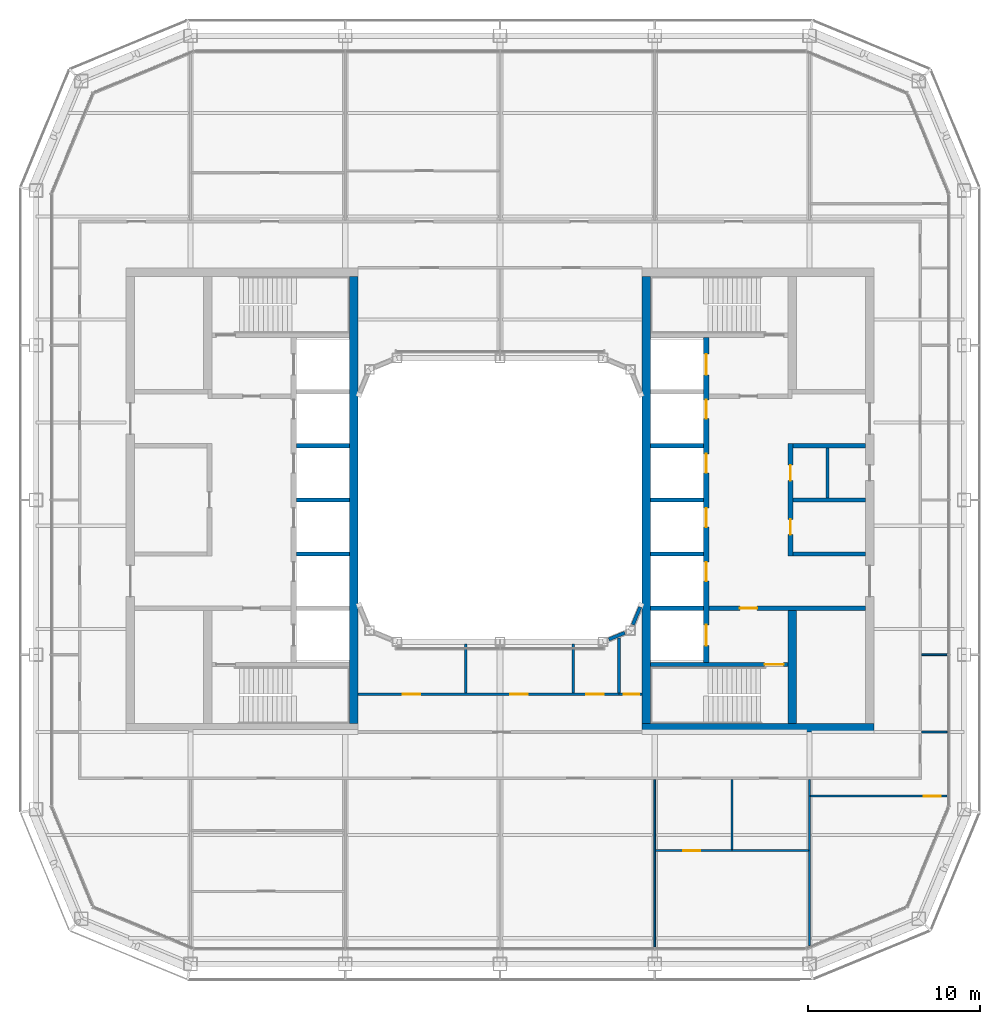
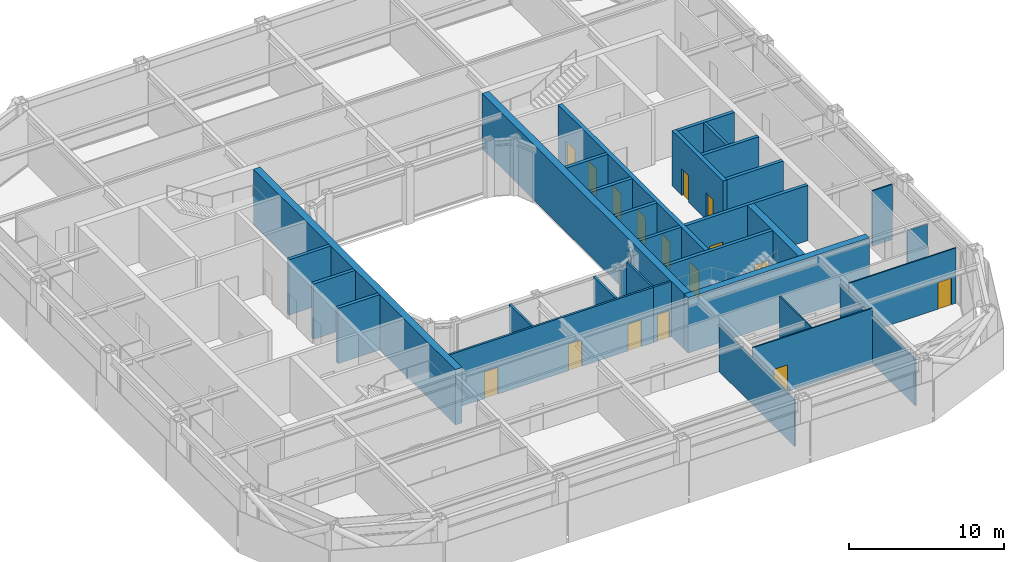
# One storey, part 13 of 19: 33 walls, 16 doors, 16 openings.
"""IFC4 building model written with IfcOpenShell, lengths in metres."""

from ifc_helpers import new_model, si_unit, direction, frame, frame_2d, origin, place, context, subcontext, project, spatial, rectangle, extrude, material, layer, layer_set, type_object, element, fill, save


model = new_model("IFC4")

# Units and contexts
model_context = context("Model", 3, precision=1e-05, world=origin(), true_north=direction((0.0, 1.0)))
body_context = subcontext(model_context, "Body", "Model", "MODEL_VIEW")
ifc_project = project(units=[si_unit("LENGTHUNIT", "METRE"), si_unit("AREAUNIT", "SQUARE_METRE"), si_unit("VOLUMEUNIT", "CUBIC_METRE"), si_unit("PLANEANGLEUNIT", "RADIAN"), si_unit("MASSUNIT", "GRAM", prefix="KILO")], contexts=[model_context])

# Site, building, storey
site_placement = place(None, origin())
site = spatial("IfcSite", under=ifc_project, at=site_placement, CompositionType="ELEMENT")
building_placement = place(site_placement, origin())
building = spatial("IfcBuilding", under=site, at=building_placement, Name="Siwar Civic Tower", CompositionType="ELEMENT")
storey_placement = place(building_placement, frame((0.0, 0.0, 264.699951171875)))
storey = spatial("IfcBuildingStorey", under=building, at=storey_placement, Name="L57", CompositionType="ELEMENT", Elevation=264.699951171875)

# Wall, opening, door
ifc_material_1 = material(Name="Gypsum board on steel studs", Category="steel")
ifc_layer_1 = layer(ifc_material_1, 0.14990234375)
ifc_layer_set_1 = layer_set([ifc_layer_1], Name="Gypsum board on steel studs")
wall_type_1 = type_object("IfcWallType", Name="COMPARTMENT PARTITION 150 EI 60", PredefinedType="PARTITIONING", material=ifc_layer_set_1)
wall_1_placement = place(storey_placement, frame((6.919921875, -11.300048828125, 0.0), z_axis=(0.0, 0.0, 1.0), x_axis=(1.0, 0.0, 0.0)))
wall_1 = element("IfcWall", 1, at=wall_1_placement, inside=storey, type_object=wall_type_1, Name="L57/wall/P10", PredefinedType="PARTITIONING", context=body_context, shape_type="SweptSolid", body=[
    extrude(rectangle(XDim=1.330078125, YDim=0.14990234375, at=frame_2d((0.6650390625, 0.0))), origin(), (0.0, 0.0, 1.0), 4.35009765625),
])
opening_1_placement = place(wall_1_placement, frame((0.280029296875, 0.0, 0.0)))
opening_1 = element("IfcOpeningElement", 2, at=opening_1_placement, cuts=wall_1, Name="Opening D4", PredefinedType="OPENING", context=body_context, shape_type="SweptSolid", body=[
    extrude(rectangle(XDim=0.89990234375, YDim=2.10009765625, at=frame_2d((0.449951171875, 1.050048828125))), frame((0.0, 0.0849609375, 0.0), z_axis=(0.0, -1.0, 0.0), x_axis=(1.0, 0.0, 0.0)), (0.0, 0.0, 1.0), 0.169921875),
])
ifc_material_2 = material(Name="Timber, painted", Category="wood")
door_type_1 = type_object("IfcDoorType", Name="DOOR 900 X 2100 FD60", OperationType="SINGLE_SWING_LEFT", PredefinedType="DOOR", material=ifc_material_2)
door_1_placement = place(opening_1_placement, origin())
door_1 = element("IfcDoor", 3, at=door_1_placement, inside=storey, type_object=door_type_1, Name="L57-D35", OperationType="SINGLE_SWING_LEFT", OverallHeight=2.10009765625, OverallWidth=0.89990234375, PredefinedType="DOOR", context=body_context, shape_type="SweptSolid", body=[
    extrude(rectangle(XDim=0.89990234375, YDim=2.10009765625, at=frame_2d((0.449951171875, 1.050048828125))), frame((0.0, 0.02490234375, 0.0), z_axis=(0.0, -1.0, 0.0), x_axis=(1.0, 0.0, 0.0)), (0.0, 0.0, 1.0), 0.050048828125),
])
fill(opening_1, door_1)

# Walls
wall_2_placement = place(storey_placement, frame((6.919921875, -11.22509765625, 0.0), z_axis=(0.0, 0.0, 1.0), x_axis=(0.0, 1.0, 0.0)))
element("IfcWall", 4, at=wall_2_placement, inside=storey, type_object=wall_type_1, Name="L57/wall/P34", PredefinedType="PARTITIONING", context=body_context, shape_type="SweptSolid", body=[
    extrude(rectangle(XDim=3.196044921875, YDim=0.14990234375, at=frame_2d((1.59814453125, 0.0))), origin(), (0.0, 0.0, 1.0), 4.35009765625),
])
ifc_material_3 = material(Name="Gypsum board on steel studs", Category="steel")
ifc_layer_2 = layer(ifc_material_3, 0.199951171875)
ifc_layer_set_2 = layer_set([ifc_layer_2], Name="Gypsum board on steel studs")
wall_type_2 = type_object("IfcWallType", Name="CORE-PARTITION-200", PredefinedType="PARTITIONING", material=ifc_layer_set_2)
wall_3_placement = place(storey_placement, frame((19.050048828125, 0.125, 0.0), z_axis=(0.0, 0.0, 1.0), x_axis=(0.0, 1.0, 0.0)))
element("IfcWall", 5, at=wall_3_placement, inside=storey, type_object=wall_type_2, Name="Core partition E", PredefinedType="PARTITIONING", context=body_context, shape_type="SweptSolid", body=[
    extrude(rectangle(XDim=2.89990234375, YDim=0.199951171875, at=frame_2d((1.449951171875, 0.0))), origin(), (0.0, 0.0, 1.0), 4.35009765625),
])
ifc_material_4 = material(Name="Concrete C60/75", Category="concrete")
ifc_layer_3 = layer(ifc_material_4, 0.25)
ifc_layer_set_3 = layer_set([ifc_layer_3], Name="Concrete C60/75")
wall_type_3 = type_object("IfcWallType", Name="CORE-WALL-RC250", PredefinedType="SHEAR", material=ifc_layer_set_3)
for number, where, z_axis, x_axis, name in (
    (6, (-8.75, 0.0, 0.0), (0.0, 0.0, 1.0), (-1.0, 0.0, 0.0), "Core wall W"),
    (7, (-8.75, 3.14990234375, 0.0), (0.0, 0.0, 1.0), (-1.0, 0.0, 0.0), "Core wall W"),
    (8, (-8.75, -3.14990234375, 0.0), (0.0, 0.0, 1.0), (-1.0, 0.0, 0.0), "Core wall W"),
):
    element("IfcWall", number, at=place(storey_placement, frame(where, z_axis=z_axis, x_axis=x_axis)), inside=storey, type_object=wall_type_3, Name=name, PredefinedType="SHEAR", context=body_context, shape_type="SweptSolid", body=[
        extrude(rectangle(XDim=3.10009765625, YDim=0.25, at=frame_2d((1.550048828125, 0.0))), origin(), (0.0, 0.0, 1.0), 4.35009765625),
    ])

# Wall, opening, door
wall_4_placement = place(storey_placement, frame((12.14990234375, -6.300048828125, 0.0), z_axis=(0.0, 0.0, 1.0), x_axis=(1.0, 0.0, 0.0)))
wall_4 = element("IfcWall", 9, at=wall_4_placement, inside=storey, type_object=wall_type_3, Name="Core wall E", PredefinedType="SHEAR", context=body_context, shape_type="SweptSolid", body=[
    extrude(rectangle(XDim=9.10009765625, YDim=0.25, at=frame_2d((4.550048828125, 0.0))), origin(), (0.0, 0.0, 1.0), 4.35009765625),
])
opening_2_placement = place(wall_4_placement, frame((1.800048828125, 0.0, 0.0)))
opening_2 = element("IfcOpeningElement", 10, at=opening_2_placement, cuts=wall_4, Name="Opening L57-CE02", PredefinedType="OPENING", context=body_context, shape_type="SweptSolid", body=[
    extrude(rectangle(XDim=1.0, YDim=2.10009765625, at=frame_2d((0.5, 1.050048828125))), frame((0.0, 0.135009765625, 0.0), z_axis=(0.0, -1.0, 0.0), x_axis=(1.0, 0.0, 0.0)), (0.0, 0.0, 1.0), 0.27001953125),
])
ifc_material_5 = material(Name="Steel door leaf", Category="steel")
door_type_2 = type_object("IfcDoorType", Name="CORE-DOOR-FD30S", OperationType="SINGLE_SWING_LEFT", PredefinedType="DOOR", material=ifc_material_5)
door_2_placement = place(opening_2_placement, origin())
door_2 = element("IfcDoor", 11, at=door_2_placement, inside=storey, type_object=door_type_2, Name="Service lobby door L57-CE02", OperationType="SINGLE_SWING_LEFT", OverallHeight=2.10009765625, OverallWidth=1.0, PredefinedType="DOOR", context=body_context, shape_type="SweptSolid", body=[
    extrude(rectangle(XDim=1.0, YDim=2.10009765625, at=frame_2d((0.5, 1.050048828125))), frame((0.0, 0.02490234375, 0.0), z_axis=(0.0, -1.0, 0.0), x_axis=(1.0, 0.0, 0.0)), (0.0, 0.0, 1.0), 0.050048828125),
])
fill(opening_2, door_2)

# Walls
for number, where, z_axis, x_axis, name in (
    (12, (17.050048828125, 0.0, 0.0), (0.0, 0.0, 1.0), (1.0, 0.0, 0.0), "Core wall E"),
    (13, (17.050048828125, 3.14990234375, 0.0), (0.0, 0.0, 1.0), (1.0, 0.0, 0.0), "Core wall E"),
    (14, (17.050048828125, -3.14990234375, 0.0), (0.0, 0.0, 1.0), (1.0, 0.0, 0.0), "Core wall E"),
):
    element("IfcWall", number, at=place(storey_placement, frame(where, z_axis=z_axis, x_axis=x_axis)), inside=storey, type_object=wall_type_3, Name=name, PredefinedType="SHEAR", context=body_context, shape_type="SweptSolid", body=[
        extrude(rectangle(XDim=4.199951171875, YDim=0.25, at=frame_2d((2.10009765625, 0.0))), origin(), (0.0, 0.0, 1.0), 4.35009765625),
    ])
for number, where, z_axis, x_axis, name in (
    (15, (8.75, 0.0, 0.0), (0.0, 0.0, 1.0), (1.0, 0.0, 0.0), "Core wall E"),
    (16, (8.75, 3.14990234375, 0.0), (0.0, 0.0, 1.0), (1.0, 0.0, 0.0), "Core wall E"),
    (17, (8.75, -3.14990234375, 0.0), (0.0, 0.0, 1.0), (1.0, 0.0, 0.0), "Core wall E"),
    (18, (8.75, -6.300048828125, 0.0), (0.0, 0.0, 1.0), (1.0, 0.0, 0.0), "Core wall E"),
):
    element("IfcWall", number, at=place(storey_placement, frame(where, z_axis=z_axis, x_axis=x_axis)), inside=storey, type_object=wall_type_3, Name=name, PredefinedType="SHEAR", context=body_context, shape_type="SweptSolid", body=[
        extrude(rectangle(XDim=3.10009765625, YDim=0.25, at=frame_2d((1.550048828125, 0.0))), origin(), (0.0, 0.0, 1.0), 4.35009765625),
    ])

# Wall, opening, door
wall_5_placement = place(storey_placement, frame((8.75, -9.574951171875, 0.0), z_axis=(0.0, 0.0, 1.0), x_axis=(1.0, 0.0, 0.0)))
wall_5 = element("IfcWall", 19, at=wall_5_placement, inside=storey, type_object=wall_type_3, Name="Core wall E", PredefinedType="SHEAR", context=body_context, shape_type="SweptSolid", body=[
    extrude(rectangle(XDim=8.0, YDim=0.25, at=frame_2d((4.0, 0.0))), origin(), (0.0, 0.0, 1.0), 4.35009765625),
])
opening_3_placement = place(wall_5_placement, frame((6.64990234375, 0.0, 0.0)))
opening_3 = element("IfcOpeningElement", 20, at=opening_3_placement, cuts=wall_5, Name="Opening L57-CE04", PredefinedType="OPENING", context=body_context, shape_type="SweptSolid", body=[
    extrude(rectangle(XDim=1.10009765625, YDim=2.10009765625, at=frame_2d((0.550048828125, 1.050048828125))), frame((0.0, 0.135009765625, 0.0), z_axis=(0.0, -1.0, 0.0), x_axis=(1.0, 0.0, 0.0)), (0.0, 0.0, 1.0), 0.27001953125),
])
ifc_material_6 = material(Name="Steel door leaf", Category="steel")
door_type_3 = type_object("IfcDoorType", Name="CORE-DOOR-FD60S", OperationType="SINGLE_SWING_LEFT", PredefinedType="DOOR", material=ifc_material_6)
door_3_placement = place(opening_3_placement, origin())
door_3 = element("IfcDoor", 21, at=door_3_placement, inside=storey, type_object=door_type_3, Name="Stair door L57-CE04", OperationType="SINGLE_SWING_RIGHT", OverallHeight=2.10009765625, OverallWidth=1.10009765625, PredefinedType="DOOR", context=body_context, shape_type="SweptSolid", body=[
    extrude(rectangle(XDim=1.10009765625, YDim=2.10009765625, at=frame_2d((0.550048828125, 1.050048828125))), frame((0.0, 0.02490234375, 0.0), z_axis=(0.0, -1.0, 0.0), x_axis=(1.0, 0.0, 0.0)), (0.0, 0.0, 1.0), 0.050048828125),
])
fill(opening_3, door_3)

# Wall, openings, doors
ifc_material_7 = material(Name="Concrete C60/75", Category="concrete")
ifc_layer_4 = layer(ifc_material_7, 0.300048828125)
ifc_layer_set_4 = layer_set([ifc_layer_4], Name="Concrete C60/75")
wall_type_4 = type_object("IfcWallType", Name="CORE-WALL-RC300", PredefinedType="SHEAR", material=ifc_layer_set_4)
wall_6_placement = place(storey_placement, frame((12.0, -9.449951171875, 0.0), z_axis=(0.0, 0.0, 1.0), x_axis=(0.0, 1.0, 0.0)))
wall_6 = element("IfcWall", 22, at=wall_6_placement, inside=storey, type_object=wall_type_4, Name="Core wall E", PredefinedType="SHEAR", context=body_context, shape_type="SweptSolid", body=[
    extrude(rectangle(XDim=18.89990234375, YDim=0.300048828125, at=frame_2d((9.449951171875, 0.0))), origin(), (0.0, 0.0, 1.0), 4.35009765625),
])
opening_4_placement = place(wall_6_placement, frame((4.72509765625, 0.0, 0.0)))
opening_4 = element("IfcOpeningElement", 23, at=opening_4_placement, cuts=wall_6, Name="Opening L57-CE07", PredefinedType="OPENING", context=body_context, shape_type="SweptSolid", body=[
    extrude(rectangle(XDim=1.10009765625, YDim=2.10009765625, at=frame_2d((0.550048828125, 1.050048828125))), frame((0.0, 0.16015625, 0.0), z_axis=(0.0, -1.0, 0.0), x_axis=(1.0, 0.0, 0.0)), (0.0, 0.0, 1.0), 0.320068359375),
])
opening_5_placement = place(wall_6_placement, frame((7.875, 0.0, 0.0)))
opening_5 = element("IfcOpeningElement", 24, at=opening_5_placement, cuts=wall_6, Name="Opening L57-CE08", PredefinedType="OPENING", context=body_context, shape_type="SweptSolid", body=[
    extrude(rectangle(XDim=1.10009765625, YDim=2.10009765625, at=frame_2d((0.550048828125, 1.050048828125))), frame((0.0, 0.16015625, 0.0), z_axis=(0.0, -1.0, 0.0), x_axis=(1.0, 0.0, 0.0)), (0.0, 0.0, 1.0), 0.320068359375),
])
opening_6_placement = place(wall_6_placement, frame((11.02490234375, 0.0, 0.0)))
opening_6 = element("IfcOpeningElement", 25, at=opening_6_placement, cuts=wall_6, Name="Opening L57-CE09", PredefinedType="OPENING", context=body_context, shape_type="SweptSolid", body=[
    extrude(rectangle(XDim=1.10009765625, YDim=2.10009765625, at=frame_2d((0.550048828125, 1.050048828125))), frame((0.0, 0.16015625, 0.0), z_axis=(0.0, -1.0, 0.0), x_axis=(1.0, 0.0, 0.0)), (0.0, 0.0, 1.0), 0.320068359375),
])
opening_7_placement = place(wall_6_placement, frame((14.175048828125, 0.0, 0.0)))
opening_7 = element("IfcOpeningElement", 26, at=opening_7_placement, cuts=wall_6, Name="Opening L57-CE10", PredefinedType="OPENING", context=body_context, shape_type="SweptSolid", body=[
    extrude(rectangle(XDim=1.10009765625, YDim=2.10009765625, at=frame_2d((0.550048828125, 1.050048828125))), frame((0.0, 0.16015625, 0.0), z_axis=(0.0, -1.0, 0.0), x_axis=(1.0, 0.0, 0.0)), (0.0, 0.0, 1.0), 0.320068359375),
])
opening_8_placement = place(wall_6_placement, frame((16.72509765625, 0.0, 0.0)))
opening_8 = element("IfcOpeningElement", 27, at=opening_8_placement, cuts=wall_6, Name="Opening L57-CE11", PredefinedType="OPENING", context=body_context, shape_type="SweptSolid", body=[
    extrude(rectangle(XDim=1.199951171875, YDim=2.10009765625, at=frame_2d((0.60009765625, 1.050048828125))), frame((0.0, 0.16015625, 0.0), z_axis=(0.0, -1.0, 0.0), x_axis=(1.0, 0.0, 0.0)), (0.0, 0.0, 1.0), 0.320068359375),
])
opening_9_placement = place(wall_6_placement, frame((0.97509765625, 0.0, 0.0)))
opening_9 = element("IfcOpeningElement", 28, at=opening_9_placement, cuts=wall_6, Name="Opening L57-CE12", PredefinedType="OPENING", context=body_context, shape_type="SweptSolid", body=[
    extrude(rectangle(XDim=1.199951171875, YDim=2.10009765625, at=frame_2d((0.60009765625, 1.050048828125))), frame((0.0, 0.16015625, 0.0), z_axis=(0.0, -1.0, 0.0), x_axis=(1.0, 0.0, 0.0)), (0.0, 0.0, 1.0), 0.320068359375),
])
ifc_material_8 = material(Name="Steel door leaf", Category="steel")
door_type_4 = type_object("IfcDoorType", Name="CORE-DOOR-LD", OperationType="DOUBLE_DOOR_SLIDING", PredefinedType="DOOR", material=ifc_material_8)
door_4_placement = place(opening_4_placement, origin())
door_4 = element("IfcDoor", 29, at=door_4_placement, inside=storey, type_object=door_type_4, Name="Landing door HR5 L57-CE07", OperationType="DOUBLE_DOOR_SLIDING", OverallHeight=2.10009765625, OverallWidth=1.10009765625, PredefinedType="DOOR", context=body_context, shape_type="SweptSolid", body=[
    extrude(rectangle(XDim=1.10009765625, YDim=2.10009765625, at=frame_2d((0.550048828125, 1.050048828125))), frame((0.0, 0.02490234375, 0.0), z_axis=(0.0, -1.0, 0.0), x_axis=(1.0, 0.0, 0.0)), (0.0, 0.0, 1.0), 0.050048828125),
])
fill(opening_4, door_4)
door_5_placement = place(opening_5_placement, origin())
door_5 = element("IfcDoor", 30, at=door_5_placement, inside=storey, type_object=door_type_4, Name="Landing door HR6 L57-CE08", OperationType="DOUBLE_DOOR_SLIDING", OverallHeight=2.10009765625, OverallWidth=1.10009765625, PredefinedType="DOOR", context=body_context, shape_type="SweptSolid", body=[
    extrude(rectangle(XDim=1.10009765625, YDim=2.10009765625, at=frame_2d((0.550048828125, 1.050048828125))), frame((0.0, 0.02490234375, 0.0), z_axis=(0.0, -1.0, 0.0), x_axis=(1.0, 0.0, 0.0)), (0.0, 0.0, 1.0), 0.050048828125),
])
fill(opening_5, door_5)
door_6_placement = place(opening_6_placement, origin())
door_6 = element("IfcDoor", 31, at=door_6_placement, inside=storey, type_object=door_type_4, Name="Landing door HR7 L57-CE09", OperationType="DOUBLE_DOOR_SLIDING", OverallHeight=2.10009765625, OverallWidth=1.10009765625, PredefinedType="DOOR", context=body_context, shape_type="SweptSolid", body=[
    extrude(rectangle(XDim=1.10009765625, YDim=2.10009765625, at=frame_2d((0.550048828125, 1.050048828125))), frame((0.0, 0.02490234375, 0.0), z_axis=(0.0, -1.0, 0.0), x_axis=(1.0, 0.0, 0.0)), (0.0, 0.0, 1.0), 0.050048828125),
])
fill(opening_6, door_6)
door_7_placement = place(opening_7_placement, origin())
door_7 = element("IfcDoor", 32, at=door_7_placement, inside=storey, type_object=door_type_4, Name="Landing door HR8 L57-CE10", OperationType="DOUBLE_DOOR_SLIDING", OverallHeight=2.10009765625, OverallWidth=1.10009765625, PredefinedType="DOOR", context=body_context, shape_type="SweptSolid", body=[
    extrude(rectangle(XDim=1.10009765625, YDim=2.10009765625, at=frame_2d((0.550048828125, 1.050048828125))), frame((0.0, 0.02490234375, 0.0), z_axis=(0.0, -1.0, 0.0), x_axis=(1.0, 0.0, 0.0)), (0.0, 0.0, 1.0), 0.050048828125),
])
fill(opening_7, door_7)
ifc_material_9 = material(Name="Steel door leaf", Category="steel")
door_type_5 = type_object("IfcDoorType", Name="CORE-DOOR-LDW", OperationType="DOUBLE_DOOR_SLIDING", PredefinedType="DOOR", material=ifc_material_9)
door_8_placement = place(opening_8_placement, origin())
door_8 = element("IfcDoor", 33, at=door_8_placement, inside=storey, type_object=door_type_5, Name="Landing door FF2 L57-CE11", OperationType="DOUBLE_DOOR_SLIDING", OverallHeight=2.10009765625, OverallWidth=1.199951171875, PredefinedType="DOOR", context=body_context, shape_type="SweptSolid", body=[
    extrude(rectangle(XDim=1.199951171875, YDim=2.10009765625, at=frame_2d((0.60009765625, 1.050048828125))), frame((0.0, 0.02490234375, 0.0), z_axis=(0.0, -1.0, 0.0), x_axis=(1.0, 0.0, 0.0)), (0.0, 0.0, 1.0), 0.050048828125),
])
fill(opening_8, door_8)
door_9_placement = place(opening_9_placement, origin())
door_9 = element("IfcDoor", 34, at=door_9_placement, inside=storey, type_object=door_type_5, Name="Landing door SV2 L57-CE12", OperationType="DOUBLE_DOOR_SLIDING", OverallHeight=2.10009765625, OverallWidth=1.199951171875, PredefinedType="DOOR", context=body_context, shape_type="SweptSolid", body=[
    extrude(rectangle(XDim=1.199951171875, YDim=2.10009765625, at=frame_2d((0.60009765625, 1.050048828125))), frame((0.0, 0.02490234375, 0.0), z_axis=(0.0, -1.0, 0.0), x_axis=(1.0, 0.0, 0.0)), (0.0, 0.0, 1.0), 0.050048828125),
])
fill(opening_9, door_9)

wall_7_placement = place(storey_placement, frame((16.89990234375, -3.27490234375, 0.0), z_axis=(0.0, 0.0, 1.0), x_axis=(0.0, 1.0, 0.0)))
wall_7 = element("IfcWall", 35, at=wall_7_placement, inside=storey, type_object=wall_type_4, Name="Core wall E", PredefinedType="SHEAR", context=body_context, shape_type="SweptSolid", body=[
    extrude(rectangle(XDim=6.5498046875, YDim=0.300048828125, at=frame_2d((3.27490234375, 0.0))), origin(), (0.0, 0.0, 1.0), 4.35009765625),
])
opening_10_placement = place(wall_7_placement, frame((1.25, 0.0, 0.0)))
opening_10 = element("IfcOpeningElement", 36, at=opening_10_placement, cuts=wall_7, Name="Opening L57-CE13", PredefinedType="OPENING", context=body_context, shape_type="SweptSolid", body=[
    extrude(rectangle(XDim=0.89990234375, YDim=2.10009765625, at=frame_2d((0.449951171875, 1.050048828125))), frame((0.0, 0.16015625, 0.0), z_axis=(0.0, -1.0, 0.0), x_axis=(1.0, 0.0, 0.0)), (0.0, 0.0, 1.0), 0.320068359375),
])
opening_11_placement = place(wall_7_placement, frame((4.39990234375, 0.0, 0.0)))
opening_11 = element("IfcOpeningElement", 37, at=opening_11_placement, cuts=wall_7, Name="Opening L57-CE14", PredefinedType="OPENING", context=body_context, shape_type="SweptSolid", body=[
    extrude(rectangle(XDim=0.89990234375, YDim=2.10009765625, at=frame_2d((0.449951171875, 1.050048828125))), frame((0.0, 0.16015625, 0.0), z_axis=(0.0, -1.0, 0.0), x_axis=(1.0, 0.0, 0.0)), (0.0, 0.0, 1.0), 0.320068359375),
])
ifc_material_10 = material(Name="Steel door leaf", Category="steel")
door_type_6 = type_object("IfcDoorType", Name="CORE-DOOR-ROOM", OperationType="SINGLE_SWING_LEFT", PredefinedType="DOOR", material=ifc_material_10)
door_10_placement = place(opening_10_placement, origin())
door_10 = element("IfcDoor", 38, at=door_10_placement, inside=storey, type_object=door_type_6, Name="Core room door L57-CE13", OperationType="SINGLE_SWING_RIGHT", OverallHeight=2.10009765625, OverallWidth=0.89990234375, PredefinedType="DOOR", context=body_context, shape_type="SweptSolid", body=[
    extrude(rectangle(XDim=0.89990234375, YDim=2.10009765625, at=frame_2d((0.449951171875, 1.050048828125))), frame((0.0, 0.02490234375, 0.0), z_axis=(0.0, -1.0, 0.0), x_axis=(1.0, 0.0, 0.0)), (0.0, 0.0, 1.0), 0.050048828125),
])
fill(opening_10, door_10)
door_11_placement = place(opening_11_placement, origin())
door_11 = element("IfcDoor", 39, at=door_11_placement, inside=storey, type_object=door_type_6, Name="Core room door L57-CE14", OperationType="SINGLE_SWING_LEFT", OverallHeight=2.10009765625, OverallWidth=0.89990234375, PredefinedType="DOOR", context=body_context, shape_type="SweptSolid", body=[
    extrude(rectangle(XDim=0.89990234375, YDim=2.10009765625, at=frame_2d((0.449951171875, 1.050048828125))), frame((0.0, 0.02490234375, 0.0), z_axis=(0.0, -1.0, 0.0), x_axis=(1.0, 0.0, 0.0)), (0.0, 0.0, 1.0), 0.050048828125),
])
fill(opening_11, door_11)

# Walls
ifc_material_11 = material(Name="Concrete C60/75", Category="concrete")
ifc_layer_5 = layer(ifc_material_11, 0.5)
ifc_layer_set_5 = layer_set([ifc_layer_5], Name="Concrete C60/75")
wall_type_5 = type_object("IfcWallType", Name="CORE-WALL-RC500", PredefinedType="SHEAR", material=ifc_layer_set_5)
wall_8_placement = place(storey_placement, frame((17.0, -13.0, 0.0), z_axis=(0.0, 0.0, 1.0), x_axis=(0.0, 1.0, 0.0)))
element("IfcWall", 40, at=wall_8_placement, inside=storey, type_object=wall_type_5, Name="Core wall E", PredefinedType="SHEAR", context=body_context, shape_type="SweptSolid", body=[
    extrude(rectangle(XDim=6.574951171875, YDim=0.5, at=frame_2d((3.28759765625, 0.0))), origin(), (0.0, 0.0, 1.0), 4.35009765625),
])
wall_9_placement = place(storey_placement, frame((8.25, -13.25, 0.0), z_axis=(0.0, 0.0, 1.0), x_axis=(1.0, 0.0, 0.0)))
element("IfcWall", 41, at=wall_9_placement, inside=storey, type_object=wall_type_5, Name="Core wall E", PredefinedType="SHEAR", context=body_context, shape_type="SweptSolid", body=[
    extrude(rectangle(XDim=13.5, YDim=0.5, at=frame_2d((6.75, 0.0))), origin(), (0.0, 0.0, 1.0), 4.35009765625),
])
ifc_material_12 = material(Name="Concrete C60/75", Category="concrete")
ifc_layer_6 = layer(ifc_material_12, 0.5)
ifc_layer_set_6 = layer_set([ifc_layer_6], Name="Concrete C60/75")
wall_type_6 = type_object("IfcWallType", Name="CORE-WALL-RC500-EXT", PredefinedType="SHEAR", material=ifc_layer_set_6)
for number, where, z_axis, x_axis, name in (
    (42, (-8.5, -13.0, 0.0), (0.0, 0.0, 1.0), (0.0, 1.0, 0.0), "Core wall W"),
    (43, (8.5, -13.0, 0.0), (0.0, 0.0, 1.0), (0.0, 1.0, 0.0), "Core wall E"),
):
    element("IfcWall", number, at=place(storey_placement, frame(where, z_axis=z_axis, x_axis=x_axis)), inside=storey, type_object=wall_type_6, Name=name, PredefinedType="SHEAR", context=body_context, shape_type="SweptSolid", body=[
        extrude(rectangle(XDim=26.0, YDim=0.5, at=frame_2d((13.0, 0.0))), origin(), (0.0, 0.0, 1.0), 4.35009765625),
    ])

# Wall, openings, doors
ifc_material_13 = material(Name="Gypsum board on steel studs", Category="steel")
ifc_layer_7 = layer(ifc_material_13, 0.14990234375)
ifc_layer_set_7 = layer_set([ifc_layer_7], Name="Gypsum board on steel studs")
wall_type_7 = type_object("IfcWallType", Name="CORRIDOR PARTITION 150 EI 30", PredefinedType="PARTITIONING", material=ifc_layer_set_7)
wall_10_placement = place(storey_placement, frame((-8.25, -11.300048828125, 0.0), z_axis=(0.0, 0.0, 1.0), x_axis=(1.0, 0.0, 0.0)))
wall_10 = element("IfcWall", 44, at=wall_10_placement, inside=storey, type_object=wall_type_7, Name="L57/wall/P09", PredefinedType="PARTITIONING", context=body_context, shape_type="SweptSolid", body=[
    extrude(rectangle(XDim=15.169921875, YDim=0.14990234375, at=frame_2d((7.5849609375, 0.0))), origin(), (0.0, 0.0, 1.0), 4.35009765625),
])
opening_12_placement = place(wall_10_placement, frame((2.60009765625, 0.0, 0.0)))
opening_12 = element("IfcOpeningElement", 45, at=opening_12_placement, cuts=wall_10, Name="Opening D3", PredefinedType="OPENING", context=body_context, shape_type="SweptSolid", body=[
    extrude(rectangle(XDim=1.0, YDim=2.10009765625, at=frame_2d((0.5, 1.050048828125))), frame((0.0, 0.0849609375, 0.0), z_axis=(0.0, -1.0, 0.0), x_axis=(1.0, 0.0, 0.0)), (0.0, 0.0, 1.0), 0.169921875),
])
opening_13_placement = place(wall_10_placement, frame((8.85009765625, 0.0, 0.0)))
opening_13 = element("IfcOpeningElement", 46, at=opening_13_placement, cuts=wall_10, Name="Opening D3", PredefinedType="OPENING", context=body_context, shape_type="SweptSolid", body=[
    extrude(rectangle(XDim=1.0, YDim=2.10009765625, at=frame_2d((0.5, 1.050048828125))), frame((0.0, 0.0849609375, 0.0), z_axis=(0.0, -1.0, 0.0), x_axis=(1.0, 0.0, 0.0)), (0.0, 0.0, 1.0), 0.169921875),
])
opening_14_placement = place(wall_10_placement, frame((13.27001953125, 0.0, 0.0)))
opening_14 = element("IfcOpeningElement", 47, at=opening_14_placement, cuts=wall_10, Name="Opening D3", PredefinedType="OPENING", context=body_context, shape_type="SweptSolid", body=[
    extrude(rectangle(XDim=1.0, YDim=2.10009765625, at=frame_2d((0.5, 1.050048828125))), frame((0.0, 0.0849609375, 0.0), z_axis=(0.0, -1.0, 0.0), x_axis=(1.0, 0.0, 0.0)), (0.0, 0.0, 1.0), 0.169921875),
])
ifc_material_14 = material(Name="Timber, painted", Category="wood")
door_type_7 = type_object("IfcDoorType", Name="DOOR 1000 X 2100 WC", OperationType="SINGLE_SWING_LEFT", PredefinedType="DOOR", material=ifc_material_14)
door_12_placement = place(opening_12_placement, origin())
door_12 = element("IfcDoor", 48, at=door_12_placement, inside=storey, type_object=door_type_7, Name="L57-D32", OperationType="SINGLE_SWING_RIGHT", OverallHeight=2.10009765625, OverallWidth=1.0, PredefinedType="DOOR", context=body_context, shape_type="SweptSolid", body=[
    extrude(rectangle(XDim=1.0, YDim=2.10009765625, at=frame_2d((0.5, 1.050048828125))), frame((0.0, 0.02490234375, 0.0), z_axis=(0.0, -1.0, 0.0), x_axis=(1.0, 0.0, 0.0)), (0.0, 0.0, 1.0), 0.050048828125),
])
fill(opening_12, door_12)
door_13_placement = place(opening_13_placement, origin())
door_13 = element("IfcDoor", 49, at=door_13_placement, inside=storey, type_object=door_type_7, Name="L57-D33", OperationType="SINGLE_SWING_LEFT", OverallHeight=2.10009765625, OverallWidth=1.0, PredefinedType="DOOR", context=body_context, shape_type="SweptSolid", body=[
    extrude(rectangle(XDim=1.0, YDim=2.10009765625, at=frame_2d((0.5, 1.050048828125))), frame((0.0, 0.02490234375, 0.0), z_axis=(0.0, -1.0, 0.0), x_axis=(1.0, 0.0, 0.0)), (0.0, 0.0, 1.0), 0.050048828125),
])
fill(opening_13, door_13)
door_14_placement = place(opening_14_placement, origin())
door_14 = element("IfcDoor", 50, at=door_14_placement, inside=storey, type_object=door_type_7, Name="L57-D34", OperationType="SINGLE_SWING_RIGHT", OverallHeight=2.10009765625, OverallWidth=1.0, PredefinedType="DOOR", context=body_context, shape_type="SweptSolid", body=[
    extrude(rectangle(XDim=1.0, YDim=2.10009765625, at=frame_2d((0.5, 1.050048828125))), frame((0.0, 0.02490234375, 0.0), z_axis=(0.0, -1.0, 0.0), x_axis=(1.0, 0.0, 0.0)), (0.0, 0.0, 1.0), 0.050048828125),
])
fill(opening_14, door_14)

# Walls
for number, where, z_axis, x_axis, name in (
    (51, (-2.0, -11.22509765625, 0.0), (0.0, 0.0, 1.0), (0.0, 1.0, 0.0), "L57/wall/P29"),
    (52, (4.25, -11.22509765625, 0.0), (0.0, 0.0, 1.0), (0.0, 1.0, 0.0), "L57/wall/P33"),
):
    element("IfcWall", number, at=place(storey_placement, frame(where, z_axis=z_axis, x_axis=x_axis)), inside=storey, type_object=wall_type_7, Name=name, PredefinedType="PARTITIONING", context=body_context, shape_type="SweptSolid", body=[
        extrude(rectangle(XDim=2.85498046875, YDim=0.14990234375, at=frame_2d((1.427490234375, 0.0))), origin(), (0.0, 0.0, 1.0), 4.35009765625),
    ])
ifc_material_15 = material(Name="Aluminium clad insulated panel", Category="aluminium")
ifc_layer_8 = layer(ifc_material_15, 0.199951171875)
ifc_layer_set_8 = layer_set([ifc_layer_8], Name="Aluminium clad insulated panel")
wall_type_8 = type_object("IfcWallType", Name="ENV-WALL-WELL", PredefinedType="STANDARD", material=ifc_layer_set_8)
wall_11_placement = place(storey_placement, frame((6.33203125, -8.112548828125, 0.0), z_axis=(0.0, 0.0, 1.0), x_axis=(0.923859650767, 0.382731427616, 0.0)))
element("IfcWall", 53, at=wall_11_placement, inside=storey, type_object=wall_type_8, Name="Light well corner wall SE1", PredefinedType="STANDARD", context=body_context, shape_type="SweptSolid", body=[
    extrude(rectangle(XDim=1.00341796875, YDim=0.199951171875, at=frame_2d((0.501708984375, 0.0))), origin(), (0.0, 0.0, 1.0), 3.91796875),
])
wall_12_placement = place(storey_placement, frame((7.728515625, -7.259033203125, 0.0), z_axis=(0.0, 0.0, 1.0), x_axis=(0.382635994082, 0.923899180665, 0.0)))
element("IfcWall", 54, at=wall_12_placement, inside=storey, type_object=wall_type_8, Name="Light well corner wall SE2", PredefinedType="STANDARD", context=body_context, shape_type="SweptSolid", body=[
    extrude(rectangle(XDim=1.11279296875, YDim=0.199951171875, at=frame_2d((0.556396484375, 0.0))), origin(), (0.0, 0.0, 1.0), 3.91796875),
])

# Wall, opening, door
ifc_material_16 = material(Name="Gypsum board on steel studs", Category="steel")
ifc_layer_9 = layer(ifc_material_16, 0.10009765625)
ifc_layer_set_9 = layer_set([ifc_layer_9], Name="Gypsum board on steel studs")
wall_type_9 = type_object("IfcWallType", Name="PARTITION 100 GYPSUM", PredefinedType="PARTITIONING", material=ifc_layer_set_9)
wall_13_placement = place(storey_placement, frame((9.050048828125, -20.39990234375, 0.0), z_axis=(0.0, 0.0, 1.0), x_axis=(1.0, 0.0, 0.0)))
wall_13 = element("IfcWall", 55, at=wall_13_placement, inside=storey, type_object=wall_type_9, Name="L57/wall/P02", PredefinedType="PARTITIONING", context=body_context, shape_type="SweptSolid", body=[
    extrude(rectangle(XDim=8.89990234375, YDim=0.10009765625, at=frame_2d((4.449951171875, 0.0))), origin(), (0.0, 0.0, 1.0), 4.35009765625),
])
opening_15_placement = place(wall_13_placement, frame((1.60009765625, 0.0, 0.0)))
opening_15 = element("IfcOpeningElement", 56, at=opening_15_placement, cuts=wall_13, Name="Opening D2", PredefinedType="OPENING", context=body_context, shape_type="SweptSolid", body=[
    extrude(rectangle(XDim=1.0, YDim=2.10009765625, at=frame_2d((0.5, 1.050048828125))), frame((0.0, 0.06005859375, 0.0), z_axis=(0.0, -1.0, 0.0), x_axis=(1.0, 0.0, 0.0)), (0.0, 0.0, 1.0), 0.1201171875),
])
ifc_material_17 = material(Name="Timber, painted", Category="wood")
door_type_8 = type_object("IfcDoorType", Name="DOOR 1000 X 2100", OperationType="SINGLE_SWING_LEFT", PredefinedType="DOOR", material=ifc_material_17)
door_15_placement = place(opening_15_placement, origin())
door_15 = element("IfcDoor", 57, at=door_15_placement, inside=storey, type_object=door_type_8, Name="L57-D14", OperationType="SINGLE_SWING_RIGHT", OverallHeight=2.10009765625, OverallWidth=1.0, PredefinedType="DOOR", context=body_context, shape_type="SweptSolid", body=[
    extrude(rectangle(XDim=1.0, YDim=2.10009765625, at=frame_2d((0.5, 1.050048828125))), frame((0.0, 0.02490234375, 0.0), z_axis=(0.0, -1.0, 0.0), x_axis=(1.0, 0.0, 0.0)), (0.0, 0.0, 1.0), 0.050048828125),
])
fill(opening_15, door_15)

wall_14_placement = place(storey_placement, frame((18.050048828125, -17.22802734375, 0.0), z_axis=(0.0, 0.0, 1.0), x_axis=(1.0, 0.0, 0.0)))
wall_14 = element("IfcWall", 58, at=wall_14_placement, inside=storey, type_object=wall_type_9, Name="L57/wall/P04", PredefinedType="PARTITIONING", context=body_context, shape_type="SweptSolid", body=[
    extrude(rectangle(XDim=7.9599609375, YDim=0.10009765625, at=frame_2d((3.97998046875, 0.0))), origin(), (0.0, 0.0, 1.0), 4.35009765625),
])
opening_16_placement = place(wall_14_placement, frame((6.60009765625, 0.0, 0.0)))
opening_16 = element("IfcOpeningElement", 59, at=opening_16_placement, cuts=wall_14, Name="Opening D2", PredefinedType="OPENING", context=body_context, shape_type="SweptSolid", body=[
    extrude(rectangle(XDim=1.0, YDim=2.10009765625, at=frame_2d((0.5, 1.050048828125))), frame((0.0, 0.06005859375, 0.0), z_axis=(0.0, -1.0, 0.0), x_axis=(1.0, 0.0, 0.0)), (0.0, 0.0, 1.0), 0.1201171875),
])
door_16_placement = place(opening_16_placement, origin())
door_16 = element("IfcDoor", 60, at=door_16_placement, inside=storey, type_object=door_type_8, Name="L57-D20", OperationType="SINGLE_SWING_RIGHT", OverallHeight=2.10009765625, OverallWidth=1.0, PredefinedType="DOOR", context=body_context, shape_type="SweptSolid", body=[
    extrude(rectangle(XDim=1.0, YDim=2.10009765625, at=frame_2d((0.5, 1.050048828125))), frame((0.0, 0.02490234375, 0.0), z_axis=(0.0, -1.0, 0.0), x_axis=(1.0, 0.0, 0.0)), (0.0, 0.0, 1.0), 0.050048828125),
])
fill(opening_16, door_16)

# Walls
wall_15_placement = place(storey_placement, frame((24.52490234375, -13.5, 0.0), z_axis=(0.0, 0.0, 1.0), x_axis=(1.0, 0.0, 0.0)))
element("IfcWall", 61, at=wall_15_placement, inside=storey, type_object=wall_type_9, Name="L57/wall/P07", PredefinedType="PARTITIONING", context=body_context, shape_type="SweptSolid", body=[
    extrude(rectangle(XDim=1.485107421875, YDim=0.10009765625, at=frame_2d((0.74267578125, 0.0))), origin(), (0.0, 0.0, 1.0), 3.949951171875),
])
wall_16_placement = place(storey_placement, frame((24.52490234375, -9.0, 0.0), z_axis=(0.0, 0.0, 1.0), x_axis=(1.0, 0.0, 0.0)))
element("IfcWall", 62, at=wall_16_placement, inside=storey, type_object=wall_type_9, Name="L57/wall/P12", PredefinedType="PARTITIONING", context=body_context, shape_type="SweptSolid", body=[
    extrude(rectangle(XDim=1.485107421875, YDim=0.10009765625, at=frame_2d((0.74267578125, 0.0))), origin(), (0.0, 0.0, 1.0), 4.35009765625),
])
wall_17_placement = place(storey_placement, frame((9.0, -26.010009765625, 0.0), z_axis=(0.0, 0.0, 1.0), x_axis=(0.0, 1.0, 0.0)))
element("IfcWall", 63, at=wall_17_placement, inside=storey, type_object=wall_type_9, Name="L57/wall/P35", PredefinedType="PARTITIONING", context=body_context, shape_type="SweptSolid", body=[
    extrude(rectangle(XDim=9.735107421875, YDim=0.10009765625, at=frame_2d((4.86767578125, 0.0))), origin(), (0.0, 0.0, 1.0), 3.650146484375),
])
wall_18_placement = place(storey_placement, frame((13.5, -20.35009765625, 0.0), z_axis=(0.0, 0.0, 1.0), x_axis=(0.0, 1.0, 0.0)))
element("IfcWall", 64, at=wall_18_placement, inside=storey, type_object=wall_type_9, Name="L57/wall/P37", PredefinedType="PARTITIONING", context=body_context, shape_type="SweptSolid", body=[
    extrude(rectangle(XDim=4.0751953125, YDim=0.10009765625, at=frame_2d((2.03759765625, 0.0))), origin(), (0.0, 0.0, 1.0), 4.35009765625),
])
wall_19_placement = place(storey_placement, frame((18.0, -25.927978515625, 0.0), z_axis=(0.0, 0.0, 1.0), x_axis=(0.0, 1.0, 0.0)))
element("IfcWall", 65, at=wall_19_placement, inside=storey, type_object=wall_type_9, Name="L57/wall/P38", PredefinedType="PARTITIONING", context=body_context, shape_type="SweptSolid", body=[
    extrude(rectangle(XDim=9.653076171875, YDim=0.10009765625, at=frame_2d((4.82666015625, 0.0))), origin(), (0.0, 0.0, 1.0), 3.650146484375),
])

save(model, "model.ifc")
